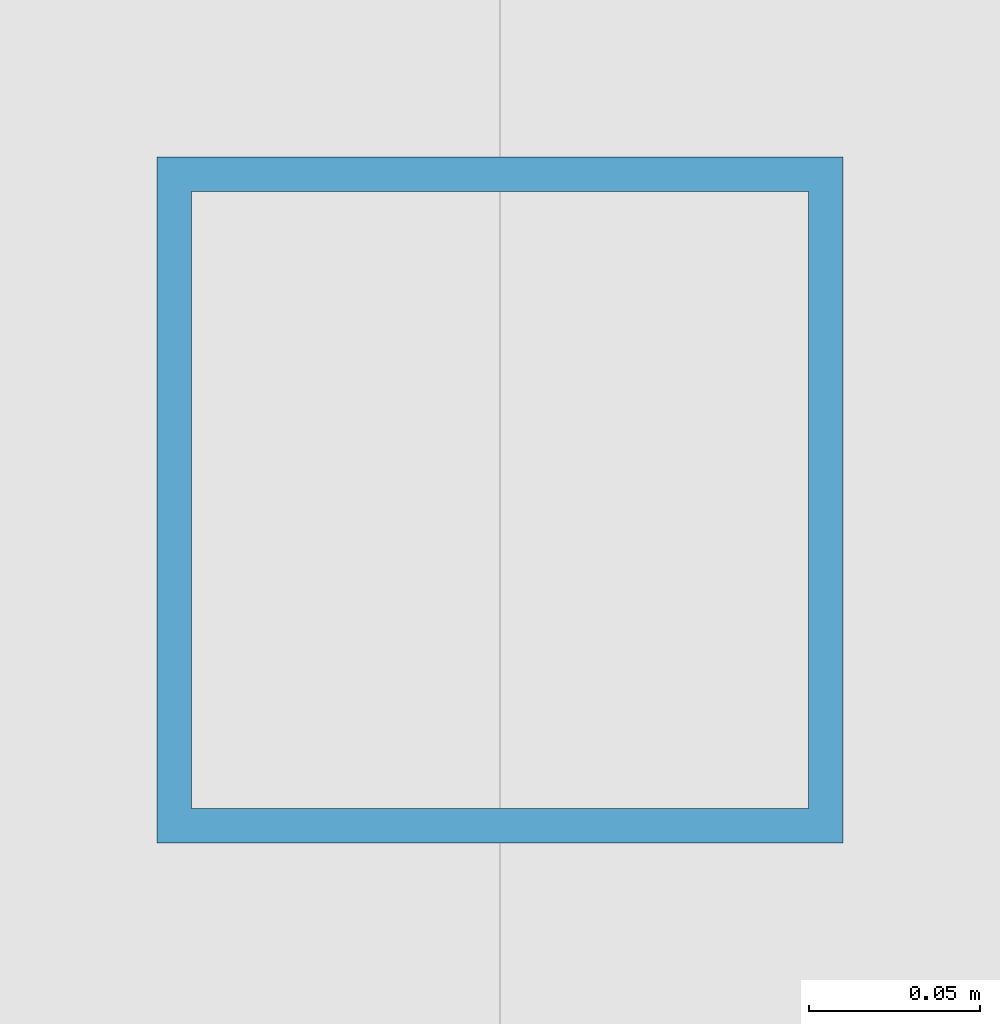
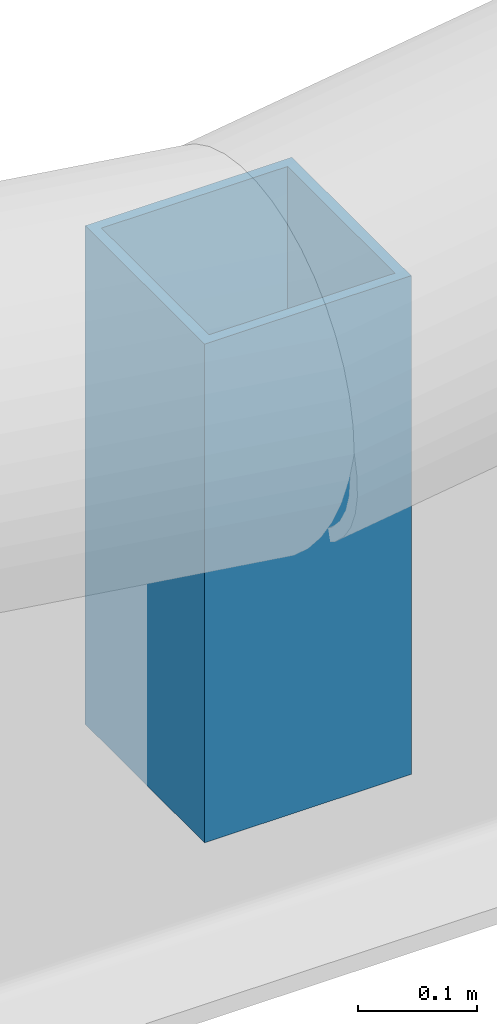
# One storey, part 51 of 84: 1 member.
"""IFC4 building model written with IfcOpenShell, lengths in metres."""

from ifc_helpers import new_model, si_unit, direction, frame, origin, origin_2d, place, context, subcontext, project, spatial, hollow_rectangle, extrude, material, material_profile, profile_set, type_object, element, save


model = new_model("IFC4")

# Units and contexts
model_context = context("Model", 3, precision=1e-05, world=origin(), true_north=direction((0.0, 1.0)))
body_context = subcontext(model_context, "Body", "Model", "MODEL_VIEW")
ifc_project = project(units=[si_unit("LENGTHUNIT", "METRE"), si_unit("AREAUNIT", "SQUARE_METRE"), si_unit("VOLUMEUNIT", "CUBIC_METRE"), si_unit("PLANEANGLEUNIT", "RADIAN"), si_unit("MASSUNIT", "GRAM", prefix="KILO")], contexts=[model_context])

# Site, building, storey
site_placement = place(None, origin())
site = spatial("IfcSite", under=ifc_project, at=site_placement, CompositionType="ELEMENT")
building_placement = place(site_placement, origin())
building = spatial("IfcBuilding", under=site, at=building_placement, Name="Tenunan Teduh Sports Hall", CompositionType="ELEMENT")
storey_placement = place(building_placement, frame((0.0, 0.0, 10.800048828125)))
storey = spatial("IfcBuildingStorey", under=building, at=storey_placement, Name="L02", CompositionType="ELEMENT", Elevation=10.800048828125)

# Member
ifc_material = material(Name="Steel S355", Category="steel")
ifc_material_profile = material_profile(ifc_material, hollow_rectangle(XDim=0.199951171875, YDim=0.199951171875, WallThickness=0.010009765625, at=origin_2d()), Name="SHS 200x200x10.0")
ifc_profile_set = profile_set([ifc_material_profile], Name="Steel S355")
member_type = type_object("IfcMemberType", Name="MEM-ST-SHS200", PredefinedType="STRUT", material=ifc_profile_set)
member_placement = place(storey_placement, frame((88.0, 70.0, -0.449951171875), z_axis=(0.0, 0.0, 1.0), x_axis=(1.0, 0.0, 0.0)))
element("IfcMember", 1, at=member_placement, inside=storey, type_object=member_type, Name="MEM-VS-02-L02-0903", PredefinedType="STRUT", context=body_context, shape_type="SweptSolid", body=[
    extrude(hollow_rectangle(XDim=0.199951171875, YDim=0.199951171875, WallThickness=0.010009765625, at=origin_2d()), origin(), (0.0, 0.0, 1.0), 0.510009765625),
])

save(model, "model.ifc")
